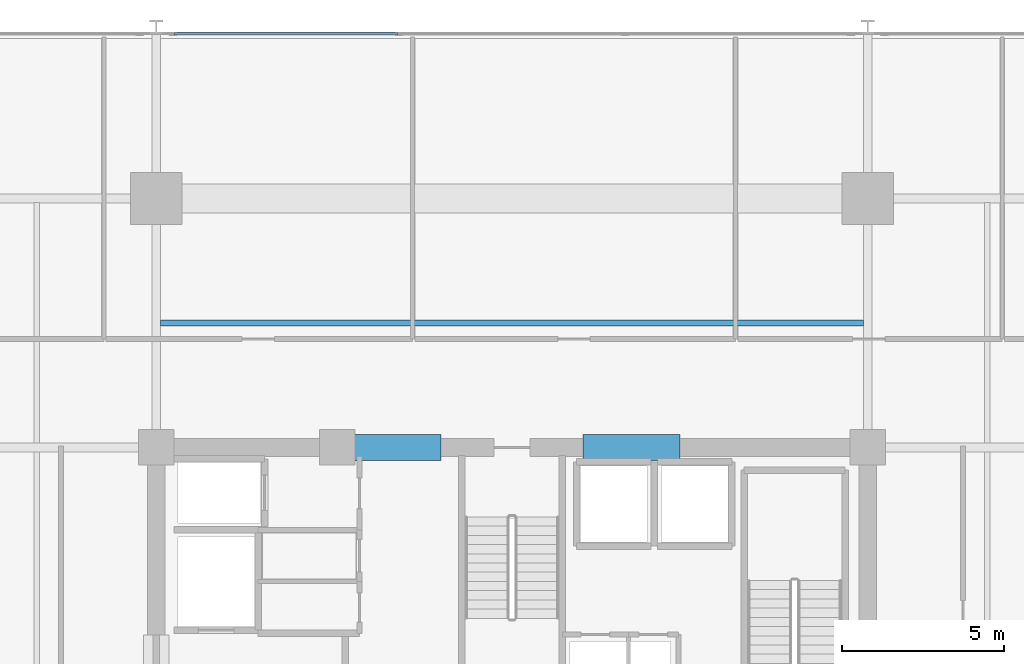
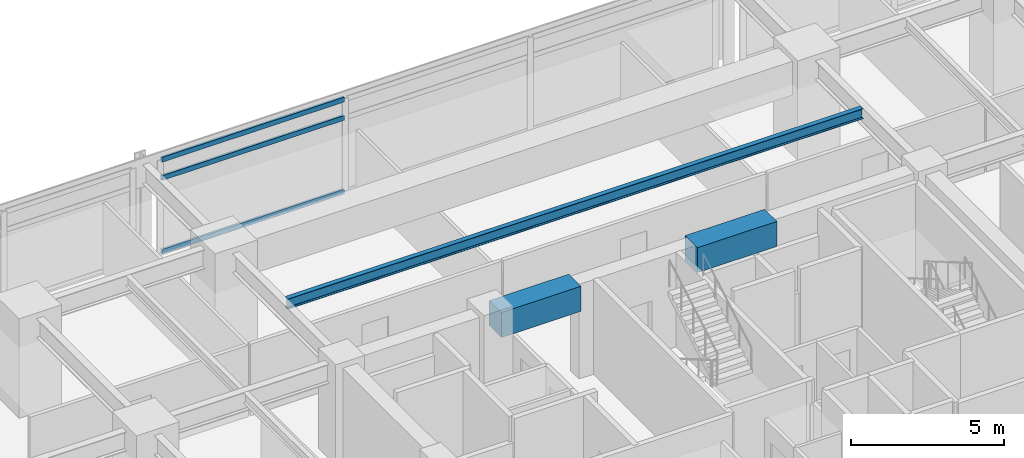
# One storey, part 7 of 21: 3 beams, 3 members, 1 element without a shape of its own.
"""IFC4 building model written with IfcOpenShell, lengths in metres."""

import ifcopenshell
import ifcopenshell.guid

model = None  # the IFC model being written
_history = None  # IfcOwnerHistory: only IFC2X3 demands one
_inside = {}  # id of a spatial element -> (the spatial element, [elements in it])
_under = {}  # id of a project, library or spatial element -> (it, [spatial elements below it])
_declared = {}  # id of a project -> (the project, [libraries it declares])
_typed = {}  # id of a type object -> (the type object, [elements of that type])
_made_of = {}  # id of a material, layer set ... -> (it, [elements and type objects made of it])


def new_model(schema):
    """Start an empty IFC model of exactly this schema.

    Asked for "IFC4X3", IfcOpenShell would pick the latest addendum, in which some entities
    have other attributes; the version numbers below select the first issue.
    IFC2X3 requires an IfcOwnerHistory on every rooted entity: one is made here for all.
    """
    global model, _history
    if schema == "IFC4X3":
        model = ifcopenshell.file(schema_version=(4, 3, 0, 0))
    else:
        model = ifcopenshell.file(schema=schema)
    _inside.clear()
    _under.clear()
    _declared.clear()
    _typed.clear()
    _made_of.clear()
    _history = None
    if model.schema == "IFC2X3":
        org = make("IfcOrganization", Name="unknown")
        user = make(
            "IfcPersonAndOrganization",
            ThePerson=make("IfcPerson", FamilyName="unknown"),
            TheOrganization=org,
        )
        app = make(
            "IfcApplication",
            ApplicationDeveloper=org,
            Version="unknown",
            ApplicationFullName="unknown",
            ApplicationIdentifier="unknown",
        )
        _history = make(
            "IfcOwnerHistory",
            OwningUser=user,
            OwningApplication=app,
            ChangeAction="ADDED",
            CreationDate=0,
        )
    return model


def make(cls, **values):
    """One entity of the class cls with the attributes given. An attribute that is None is left unset."""
    return model.create_entity(
        cls, **{name: value for name, value in values.items() if value is not None}
    )


def rooted(cls, **values):
    """An entity with a GlobalId (a new one), such as an element, a storey or a relation."""
    return make(cls, GlobalId=ifcopenshell.guid.new(), OwnerHistory=_history, **values)


def si_unit(unit_type, name, prefix=None):
    """IfcSIUnit, for example si_unit("LENGTHUNIT", "METRE", prefix="MILLI")."""
    return make("IfcSIUnit", UnitType=unit_type, Prefix=prefix, Name=name)


def assignment(units):
    """IfcUnitAssignment: the units of a project."""
    return None if units is None else make("IfcUnitAssignment", Units=units)


def point(xyz):
    """IfcCartesianPoint."""
    return None if xyz is None else make("IfcCartesianPoint", Coordinates=xyz)


def direction(xyz):
    """IfcDirection."""
    return None if xyz is None else make("IfcDirection", DirectionRatios=xyz)


def frame(location, z_axis=None, x_axis=None):
    """IfcAxis2Placement3D, a coordinate frame: its origin and axes. An axis left out is left unset."""
    return make(
        "IfcAxis2Placement3D",
        Location=point(location),
        Axis=direction(z_axis),
        RefDirection=direction(x_axis),
    )


def frame_2d(location, x_axis=None):
    """IfcAxis2Placement2D, a coordinate frame in the plane: its origin and x axis."""
    return make(
        "IfcAxis2Placement2D", Location=point(location), RefDirection=direction(x_axis)
    )


def origin():
    """The frame at (0, 0, 0) with its axes left unset."""
    return frame((0.0, 0.0, 0.0))


def origin_2d():
    """The frame at (0, 0) in the plane with its x axis left unset."""
    return frame_2d((0.0, 0.0))


def place(relative_to, where):
    """IfcLocalPlacement: puts the frame where relative to a parent placement (None: the world)."""
    return make(
        "IfcLocalPlacement", PlacementRelTo=relative_to, RelativePlacement=where
    )


def context(
    kind, dimensions, precision=None, world=None, true_north=None, identifier=None
):
    """IfcGeometricRepresentationContext, for example the 3D "Model" context."""
    return make(
        "IfcGeometricRepresentationContext",
        ContextIdentifier=identifier,
        ContextType=kind,
        CoordinateSpaceDimension=dimensions,
        Precision=precision,
        WorldCoordinateSystem=world,
        TrueNorth=true_north,
    )


def subcontext(parent, identifier, kind, view, scale=None):
    """IfcGeometricRepresentationSubContext, for example "Body" below "Model"."""
    return make(
        "IfcGeometricRepresentationSubContext",
        ContextIdentifier=identifier,
        ContextType=kind,
        ParentContext=parent,
        TargetScale=scale,
        TargetView=view,
    )


def project(units=None, contexts=None):
    """IfcProject with its units and contexts."""
    return rooted(
        "IfcProject",
        Name="project",
        RepresentationContexts=contexts,
        UnitsInContext=assignment(units),
    )


def spatial(cls, under=None, at=None, **own):
    """A site, building, storey or space (cls), placed at a placement, below another one or the project."""
    s = rooted(cls, ObjectPlacement=at, **own)
    if under is not None:
        _under.setdefault(under.id(), (under, []))[1].append(s)
    return s


def profile(cls, at=None, kind="AREA", **sizes):
    """A parametric profile (cls). Its sizes go by their IFC names, for example OverallWidth=200.0."""
    return make(cls, ProfileType=kind, Position=at, **sizes)


def rectangle(**sizes):
    """IfcRectangleProfileDef."""
    return profile("IfcRectangleProfileDef", **sizes)


def hollow_rectangle(**sizes):
    """IfcRectangleHollowProfileDef."""
    return profile("IfcRectangleHollowProfileDef", **sizes)


def i_section(**sizes):
    """IfcIShapeProfileDef."""
    return profile("IfcIShapeProfileDef", **sizes)


def extrude(swept, where, along, depth):
    """IfcExtrudedAreaSolid: the profile swept, set in the frame where, extruded along a direction by depth."""
    return make(
        "IfcExtrudedAreaSolid",
        SweptArea=swept,
        Position=where,
        ExtrudedDirection=direction(along),
        Depth=depth,
    )


def shape(context_of_items, identifier, shape_type, items):
    """IfcShapeRepresentation: the items that make up one representation, for example the "Body"."""
    return make(
        "IfcShapeRepresentation",
        ContextOfItems=context_of_items,
        RepresentationIdentifier=identifier,
        RepresentationType=shape_type,
        Items=items,
    )


def material(Name=None, Category=None):
    """IfcMaterial."""
    return make("IfcMaterial", Name=Name, Category=Category)


def material_profile(
    of_material, cross_section, Name=None, Category=None, Priority=None
):
    """IfcMaterialProfile: a cross section and its material."""
    return make(
        "IfcMaterialProfile",
        Name=Name,
        Material=of_material,
        Profile=cross_section,
        Priority=Priority,
        Category=Category,
    )


def profile_set(profiles, Name=None, composite=None):
    """IfcMaterialProfileSet."""
    return make(
        "IfcMaterialProfileSet",
        Name=Name,
        MaterialProfiles=profiles,
        CompositeProfile=composite,
    )


def made_of(thing, what):
    """Note that an element or type object is made of a material, layer set ...; save() writes the relation."""
    if what is not None:
        _made_of.setdefault(what.id(), (what, []))[1].append(thing)
    return thing


def type_object(cls, material=None, **own):
    """A type object (cls), such as IfcWallType, which elements share."""
    return made_of(rooted(cls, **own), material)


def element(
    cls,
    number,
    at=None,
    inside=None,
    cuts=None,
    type_object=None,
    material=None,
    context=None,
    identifier="Body",
    shape_type=None,
    held_by="IfcProductDefinitionShape",
    body=None,
    shapes=None,
    **own,
):
    """One element of the class cls, such as IfcWall. Its Tag is "e" and its number.

    at: its placement. inside: the storey or other place that contains it. cuts: it is an
    opening in that element (IfcRelVoidsElement). A single representation is given by context,
    identifier, shape_type and body (its items); several are given by shapes. held_by: the class
    of the entity that holds the representations. save() writes the other relations.
    """
    e = rooted(cls, Tag="e%d" % number, ObjectPlacement=at, **own)
    if body is not None:
        shapes = [shape(context, identifier, shape_type, body)]
    if shapes is not None:
        e.Representation = make(held_by, Representations=shapes)
    if inside is not None:
        _inside.setdefault(inside.id(), (inside, []))[1].append(e)
    if cuts is not None:
        rooted(
            "IfcRelVoidsElement", RelatingBuildingElement=cuts, RelatedOpeningElement=e
        )
    if type_object is not None:
        _typed.setdefault(type_object.id(), (type_object, []))[1].append(e)
    return made_of(e, material)


def aggregate(whole, parts):
    """IfcRelAggregates: a whole, such as a stair, and the parts it consists of."""
    return rooted("IfcRelAggregates", RelatingObject=whole, RelatedObjects=parts)


def save(model, path):
    """Write the relations noted so far, then the file.

    IfcRelAggregates (storeys below a building ...), IfcRelContainedInSpatialStructure (elements
    in a storey), IfcRelDefinesByType, IfcRelAssociatesMaterial and IfcRelDeclares: one each for
    every whole, place, type object, material and project.
    """
    for whole, parts in _under.values():
        aggregate(whole, parts)
    for where, things in _inside.values():
        rooted(
            "IfcRelContainedInSpatialStructure",
            RelatedElements=things,
            RelatingStructure=where,
        )
    for kind, things in _typed.values():
        rooted("IfcRelDefinesByType", RelatedObjects=things, RelatingType=kind)
    for what, things in _made_of.values():
        rooted("IfcRelAssociatesMaterial", RelatedObjects=things, RelatingMaterial=what)
    for by, libraries in _declared.values():
        rooted("IfcRelDeclares", RelatingContext=by, RelatedDefinitions=libraries)
    model.write(path)


model = new_model("IFC4")

# Units and contexts
model_context = context("Model", 3, precision=1e-05, world=origin(), true_north=direction((0.0, 1.0)))
body_context = subcontext(model_context, "Body", "Model", "MODEL_VIEW")
ifc_project = project(units=[si_unit("LENGTHUNIT", "METRE"), si_unit("AREAUNIT", "SQUARE_METRE"), si_unit("VOLUMEUNIT", "CUBIC_METRE"), si_unit("PLANEANGLEUNIT", "RADIAN"), si_unit("MASSUNIT", "GRAM", prefix="KILO")], contexts=[model_context])

# Site, building, storey
site_placement = place(None, origin())
site = spatial("IfcSite", under=ifc_project, at=site_placement, CompositionType="ELEMENT")
building_placement = place(site_placement, origin())
building = spatial("IfcBuilding", under=site, at=building_placement, Name="Kovane Verandah Tower", CompositionType="ELEMENT")
storey_placement = place(building_placement, frame((0.0, 0.0, 172.39990234375)))
storey = spatial("IfcBuildingStorey", under=building, at=storey_placement, Name="L40", CompositionType="ELEMENT", Elevation=172.39990234375)

# Beams
ifc_material_1 = material(Name="Concrete C60/75", Category="concrete")
ifc_material_profile_1 = material_profile(ifc_material_1, rectangle(XDim=0.800048828125, YDim=1.0, at=origin_2d()), Name="RCB800x1000")
ifc_profile_set_1 = profile_set([ifc_material_profile_1], Name="Concrete C60/75")
beam_type_1 = type_object("IfcBeamType", Name="BM-LINTEL-800x1000", PredefinedType="LINTEL", material=ifc_profile_set_1)
for number, where, z_axis, x_axis, name in (
    (1, (34.800048828125, 36.5, 3.275146484375), (1.0, 0.0, 0.0), (0.0, 1.0, 0.0), "L40 Core Coupling Lintel CL-N1"),
    (2, (42.199951171875, 36.5, 3.275146484375), (1.0, 0.0, 0.0), (0.0, 1.0, 0.0), "L40 Core Coupling Lintel CL-N2"),
):
    element("IfcBeam", number, at=place(storey_placement, frame(where, z_axis=z_axis, x_axis=x_axis)), inside=storey, type_object=beam_type_1, Name=name, PredefinedType="LINTEL", context=body_context, shape_type="SweptSolid", body=[
        extrude(rectangle(XDim=0.800048828125, YDim=1.0, at=origin_2d()), origin(), (0.0, 0.0, 1.0), 3.0),
    ])

# Curtain wall, members
ifc_material_2 = material(Name="Champagne Anodised Aluminium Frame with Low-E Clear Laminated Glass", Category="aluminium")
curtain_wall_type = type_object("IfcCurtainWallType", Name="CW-SYS-03-MID", PredefinedType="NOTDEFINED", material=ifc_material_2)
curtain_wall_placement = place(storey_placement, origin())
curtain_wall = element("IfcCurtainWall", 3, at=curtain_wall_placement, inside=storey, type_object=curtain_wall_type, Name="L40 N Unitised Curtain Wall-2", PredefinedType="NOTDEFINED")
ifc_material_3 = material(Name="Champagne Anodised Aluminium 6063-T6", Category="aluminium")
ifc_material_profile_2 = material_profile(ifc_material_3, hollow_rectangle(XDim=0.0849609375, YDim=0.18994140625, WallThickness=0.00390625, at=origin_2d()), Name="AL85x190x4")
ifc_profile_set_2 = profile_set([ifc_material_profile_2], Name="Champagne Anodised Aluminium 6063-T6")
member_type = type_object("IfcMemberType", Name="CW-TRN-85x190", PredefinedType="USERDEFINED", material=ifc_profile_set_2)
member_1_placement = place(storey_placement, frame((36.456787109375, 49.289306640625, 0.050048828125), z_axis=(-1.0, 0.0, 0.0), x_axis=(0.0, -1.0, 0.0)))
member_1 = element("IfcMember", 4, at=member_1_placement, type_object=member_type, Name="L40 N Unitised Curtain Wall-2 Transom TB Bay 3", ObjectType="TRANSOM", PredefinedType="USERDEFINED", context=body_context, shape_type="SweptSolid", body=[
    extrude(hollow_rectangle(XDim=0.0849609375, YDim=0.18994140625, WallThickness=0.00390625, at=origin_2d()), origin(), (0.0, 0.0, 1.0), 6.88671875),
])
member_2_placement = place(storey_placement, frame((36.456787109375, 49.289306640625, 2.9951171875), z_axis=(-1.0, 0.0, 0.0), x_axis=(0.0, -1.0, 0.0)))
member_2 = element("IfcMember", 5, at=member_2_placement, type_object=member_type, Name="L40 N Unitised Curtain Wall-2 Transom TM Bay 3", ObjectType="TRANSOM", PredefinedType="USERDEFINED", context=body_context, shape_type="SweptSolid", body=[
    extrude(hollow_rectangle(XDim=0.0849609375, YDim=0.18994140625, WallThickness=0.00390625, at=origin_2d()), origin(), (0.0, 0.0, 1.0), 6.88671875),
])
member_3_placement = place(storey_placement, frame((36.456787109375, 49.289306640625, 3.72509765625), z_axis=(-1.0, 0.0, 0.0), x_axis=(0.0, -1.0, 0.0)))
member_3 = element("IfcMember", 6, at=member_3_placement, type_object=member_type, Name="L40 N Unitised Curtain Wall-2 Transom TT Bay 3", ObjectType="TRANSOM", PredefinedType="USERDEFINED", context=body_context, shape_type="SweptSolid", body=[
    extrude(hollow_rectangle(XDim=0.0849609375, YDim=0.18994140625, WallThickness=0.00390625, at=origin_2d()), origin(), (0.0, 0.0, 1.0), 6.88671875),
])
aggregate(curtain_wall, [member_1, member_2, member_3])

# Beam
ifc_material_4 = material(Name="Steel S355", Category="steel")
ifc_material_profile_3 = material_profile(ifc_material_4, i_section(OverallWidth=0.179443359375, OverallDepth=0.412841796875, WebThickness=0.009521484375, FlangeThickness=0.01611328125, FilletRadius=0.01025390625, at=origin_2d()), Name="UB406x178x74")
ifc_profile_set_3 = profile_set([ifc_material_profile_3], Name="Steel S355")
beam_type_2 = type_object("IfcBeamType", Name="JST-UB406x74", PredefinedType="JOIST", material=ifc_profile_set_3)
beam_placement = place(storey_placement, frame((29.132080078125, 40.35009765625, 3.568603515625), z_axis=(1.0, 0.0, 0.0), x_axis=(0.0, 1.0, 0.0)))
element("IfcBeam", 7, at=beam_placement, inside=storey, type_object=beam_type_2, Name="L40 Secondary Composite Joist J-N1", PredefinedType="JOIST", context=body_context, shape_type="SweptSolid", body=[
    extrude(i_section(OverallWidth=0.179443359375, OverallDepth=0.412841796875, WebThickness=0.009521484375, FlangeThickness=0.01611328125, FilletRadius=0.01025390625, at=origin_2d()), origin(), (0.0, 0.0, 1.0), 21.73583984375),
])

save(model, "model.ifc")
